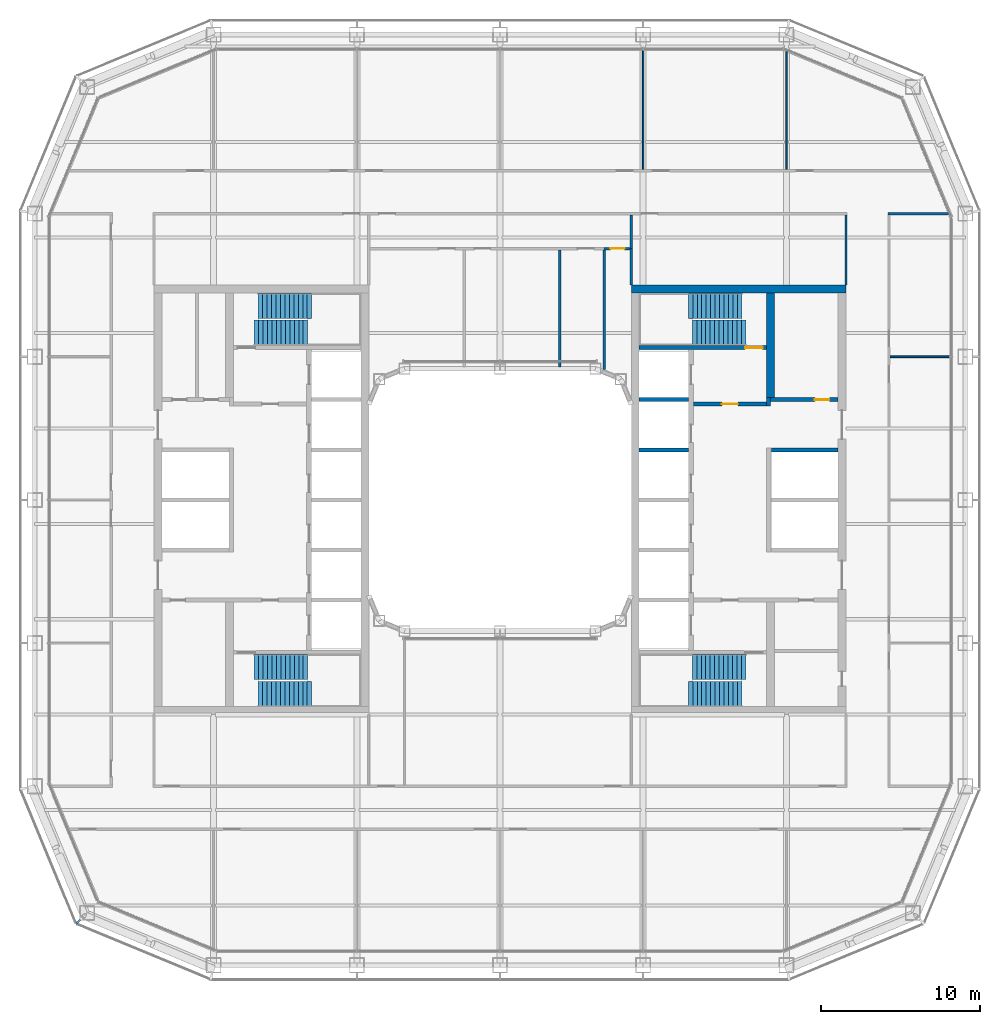
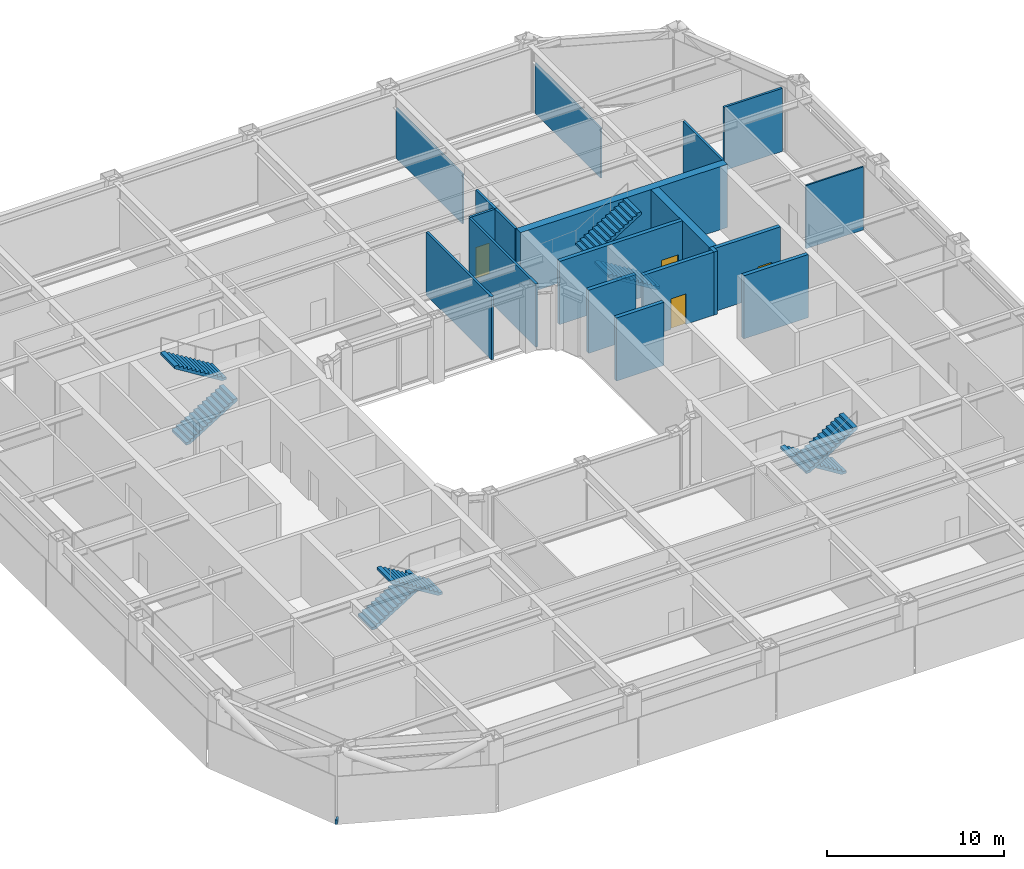
# One storey, part 14 of 21: 19 walls, 8 stair flights, 4 doors, 1 discrete accessory, 4 openings, 4 elements without a shape of their own.
"""IFC4 building model written with IfcOpenShell, lengths in metres."""

from ifc_helpers import new_model, si_unit, direction, frame, frame_2d, origin, origin_2d, place, context, subcontext, project, spatial, polyline, rectangle, outline, extrude, material, layer, layer_set, type_object, element, fill, aggregate, save


model = new_model("IFC4")

# Units and contexts
model_context = context("Model", 3, precision=1e-05, world=origin(), true_north=direction((0.0, 1.0)))
body_context = subcontext(model_context, "Body", "Model", "MODEL_VIEW")
ifc_project = project(units=[si_unit("LENGTHUNIT", "METRE"), si_unit("AREAUNIT", "SQUARE_METRE"), si_unit("VOLUMEUNIT", "CUBIC_METRE"), si_unit("PLANEANGLEUNIT", "RADIAN"), si_unit("MASSUNIT", "GRAM", prefix="KILO")], contexts=[model_context])

# Site, building, storey
site_placement = place(None, origin())
site = spatial("IfcSite", under=ifc_project, at=site_placement, CompositionType="ELEMENT")
building_placement = place(site_placement, origin())
building = spatial("IfcBuilding", under=site, at=building_placement, Name="Siwar Civic Tower", CompositionType="ELEMENT")
storey_placement = place(building_placement, frame((0.0, 0.0, 122.699951171875)))
storey = spatial("IfcBuildingStorey", under=building, at=storey_placement, Name="L26", CompositionType="ELEMENT", Elevation=122.699951171875)

# Wall, opening, door
ifc_material_1 = material(Name="Gypsum board on steel studs", Category="steel")
ifc_layer_1 = layer(ifc_material_1, 0.14990234375)
ifc_layer_set_1 = layer_set([ifc_layer_1], Name="Gypsum board on steel studs")
wall_type_1 = type_object("IfcWallType", Name="COMPARTMENT PARTITION 150 EI 60", PredefinedType="PARTITIONING", material=ifc_layer_set_1)
wall_1_placement = place(storey_placement, frame((6.5400390625, 15.800048828125, 0.0), z_axis=(0.0, 0.0, 1.0), x_axis=(1.0, 0.0, 0.0)))
wall_1 = element("IfcWall", 1, at=wall_1_placement, inside=storey, type_object=wall_type_1, Name="L26/wall/P12", PredefinedType="PARTITIONING", context=body_context, shape_type="SweptSolid", body=[
    extrude(rectangle(XDim=1.635009765625, YDim=0.14990234375, at=frame_2d((0.8173828125, 0.0))), origin(), (0.0, 0.0, 1.0), 4.35009765625),
])
opening_1_placement = place(wall_1_placement, frame((0.39990234375, 0.0, 0.0)))
opening_1 = element("IfcOpeningElement", 2, at=opening_1_placement, cuts=wall_1, Name="Opening D4", PredefinedType="OPENING", context=body_context, shape_type="SweptSolid", body=[
    extrude(rectangle(XDim=0.89990234375, YDim=2.10009765625, at=frame_2d((0.449951171875, 1.050048828125))), frame((0.0, 0.0849609375, 0.0), z_axis=(0.0, -1.0, 0.0), x_axis=(1.0, 0.0, 0.0)), (0.0, 0.0, 1.0), 0.169921875),
])
ifc_material_2 = material(Name="Timber, painted", Category="wood")
door_type_1 = type_object("IfcDoorType", Name="DOOR 900 X 2100 FD60", OperationType="SINGLE_SWING_LEFT", PredefinedType="DOOR", material=ifc_material_2)
door_1_placement = place(opening_1_placement, origin())
door_1 = element("IfcDoor", 3, at=door_1_placement, inside=storey, type_object=door_type_1, Name="L26-D17", OperationType="SINGLE_SWING_LEFT", OverallHeight=2.10009765625, OverallWidth=0.89990234375, PredefinedType="DOOR", context=body_context, shape_type="SweptSolid", body=[
    extrude(rectangle(XDim=0.89990234375, YDim=2.10009765625, at=frame_2d((0.449951171875, 1.050048828125))), frame((0.0, 0.02490234375, 0.0), z_axis=(0.0, -1.0, 0.0), x_axis=(1.0, 0.0, 0.0)), (0.0, 0.0, 1.0), 0.050048828125),
])
fill(opening_1, door_1)

# Walls
wall_2_placement = place(storey_placement, frame((6.5400390625, 8.18603515625, 0.0), z_axis=(0.0, 0.0, 1.0), x_axis=(0.0, 1.0, 0.0)))
element("IfcWall", 4, at=wall_2_placement, inside=storey, type_object=wall_type_1, Name="L26/wall/P31", PredefinedType="PARTITIONING", context=body_context, shape_type="SweptSolid", body=[
    extrude(rectangle(XDim=7.5390625, YDim=0.14990234375, at=frame_2d((3.76953125, 0.0))), origin(), (0.0, 0.0, 1.0), 4.35009765625),
])
wall_3_placement = place(storey_placement, frame((8.25, 13.5, 0.0), z_axis=(0.0, 0.0, 1.0), x_axis=(0.0, 1.0, 0.0)))
element("IfcWall", 5, at=wall_3_placement, inside=storey, type_object=wall_type_1, Name="L26/wall/P34", PredefinedType="PARTITIONING", context=body_context, shape_type="SweptSolid", body=[
    extrude(rectangle(XDim=2.300048828125, YDim=0.14990234375, at=frame_2d((1.14990234375, 0.0))), origin(), (0.0, 0.0, 1.0), 4.35009765625),
])

# Wall, opening, door
ifc_material_3 = material(Name="Concrete C60/75", Category="concrete")
ifc_layer_2 = layer(ifc_material_3, 0.25)
ifc_layer_set_2 = layer_set([ifc_layer_2], Name="Concrete C60/75")
wall_type_2 = type_object("IfcWallType", Name="CORE-WALL-RC250", PredefinedType="SHEAR", material=ifc_layer_set_2)
wall_4_placement = place(storey_placement, frame((12.14990234375, 6.02490234375, 0.0), z_axis=(0.0, 0.0, 1.0), x_axis=(1.0, 0.0, 0.0)))
wall_4 = element("IfcWall", 6, at=wall_4_placement, inside=storey, type_object=wall_type_2, Name="Core wall E", PredefinedType="SHEAR", context=body_context, shape_type="SweptSolid", body=[
    extrude(rectangle(XDim=4.60009765625, YDim=0.25, at=frame_2d((2.300048828125, 0.0))), origin(), (0.0, 0.0, 1.0), 4.35009765625),
])
opening_2_placement = place(wall_4_placement, frame((1.800048828125, 0.0, 0.0)))
opening_2 = element("IfcOpeningElement", 7, at=opening_2_placement, cuts=wall_4, Name="Opening L26-CE01", PredefinedType="OPENING", context=body_context, shape_type="SweptSolid", body=[
    extrude(rectangle(XDim=1.0, YDim=2.10009765625, at=frame_2d((0.5, 1.050048828125))), frame((0.0, 0.135009765625, 0.0), z_axis=(0.0, -1.0, 0.0), x_axis=(1.0, 0.0, 0.0)), (0.0, 0.0, 1.0), 0.27001953125),
])
ifc_material_4 = material(Name="Steel door leaf", Category="steel")
door_type_2 = type_object("IfcDoorType", Name="CORE-DOOR-FD30S", OperationType="SINGLE_SWING_LEFT", PredefinedType="DOOR", material=ifc_material_4)
door_2_placement = place(opening_2_placement, origin())
door_2 = element("IfcDoor", 8, at=door_2_placement, inside=storey, type_object=door_type_2, Name="Firefighting lobby door L26-CE01", OperationType="SINGLE_SWING_RIGHT", OverallHeight=2.10009765625, OverallWidth=1.0, PredefinedType="DOOR", context=body_context, shape_type="SweptSolid", body=[
    extrude(rectangle(XDim=1.0, YDim=2.10009765625, at=frame_2d((0.5, 1.050048828125))), frame((0.0, 0.02490234375, 0.0), z_axis=(0.0, -1.0, 0.0), x_axis=(1.0, 0.0, 0.0)), (0.0, 0.0, 1.0), 0.050048828125),
])
fill(opening_2, door_2)

# Wall
wall_5_placement = place(storey_placement, frame((16.875, 5.89990234375, 0.0), z_axis=(0.0, 0.0, 1.0), x_axis=(0.0, 1.0, 0.0)))
element("IfcWall", 9, at=wall_5_placement, inside=storey, type_object=wall_type_2, Name="Core wall E", PredefinedType="SHEAR", context=body_context, shape_type="SweptSolid", body=[
    extrude(rectangle(XDim=0.525146484375, YDim=0.25, at=frame_2d((0.2626953125, 0.0))), origin(), (0.0, 0.0, 1.0), 4.35009765625),
])

# Wall, opening, door
wall_6_placement = place(storey_placement, frame((17.0, 6.300048828125, 0.0), z_axis=(0.0, 0.0, 1.0), x_axis=(1.0, 0.0, 0.0)))
wall_6 = element("IfcWall", 10, at=wall_6_placement, inside=storey, type_object=wall_type_2, Name="Core wall E", PredefinedType="SHEAR", context=body_context, shape_type="SweptSolid", body=[
    extrude(rectangle(XDim=4.25, YDim=0.25, at=frame_2d((2.125, 0.0))), origin(), (0.0, 0.0, 1.0), 4.35009765625),
])
opening_3_placement = place(wall_6_placement, frame((2.800048828125, 0.0, 0.0)))
opening_3 = element("IfcOpeningElement", 11, at=opening_3_placement, cuts=wall_6, Name="Opening L26-CE13", PredefinedType="OPENING", context=body_context, shape_type="SweptSolid", body=[
    extrude(rectangle(XDim=0.89990234375, YDim=2.10009765625, at=frame_2d((0.449951171875, 1.050048828125))), frame((0.0, 0.135009765625, 0.0), z_axis=(0.0, -1.0, 0.0), x_axis=(1.0, 0.0, 0.0)), (0.0, 0.0, 1.0), 0.27001953125),
])
ifc_material_5 = material(Name="Steel door leaf", Category="steel")
door_type_3 = type_object("IfcDoorType", Name="CORE-DOOR-ROOM", OperationType="SINGLE_SWING_LEFT", PredefinedType="DOOR", material=ifc_material_5)
door_3_placement = place(opening_3_placement, origin())
door_3 = element("IfcDoor", 12, at=door_3_placement, inside=storey, type_object=door_type_3, Name="Core room door L26-CE13", OperationType="SINGLE_SWING_LEFT", OverallHeight=2.10009765625, OverallWidth=0.89990234375, PredefinedType="DOOR", context=body_context, shape_type="SweptSolid", body=[
    extrude(rectangle(XDim=0.89990234375, YDim=2.10009765625, at=frame_2d((0.449951171875, 1.050048828125))), frame((0.0, 0.02490234375, 0.0), z_axis=(0.0, -1.0, 0.0), x_axis=(1.0, 0.0, 0.0)), (0.0, 0.0, 1.0), 0.050048828125),
])
fill(opening_3, door_3)

# Walls
wall_7_placement = place(storey_placement, frame((17.050048828125, 3.14990234375, 0.0), z_axis=(0.0, 0.0, 1.0), x_axis=(1.0, 0.0, 0.0)))
element("IfcWall", 13, at=wall_7_placement, inside=storey, type_object=wall_type_2, Name="Core wall E", PredefinedType="SHEAR", context=body_context, shape_type="SweptSolid", body=[
    extrude(rectangle(XDim=4.199951171875, YDim=0.25, at=frame_2d((2.10009765625, 0.0))), origin(), (0.0, 0.0, 1.0), 4.35009765625),
])
for number, where, z_axis, x_axis, name in (
    (14, (8.75, 3.14990234375, 0.0), (0.0, 0.0, 1.0), (1.0, 0.0, 0.0), "Core wall E"),
    (15, (8.75, 6.300048828125, 0.0), (0.0, 0.0, 1.0), (1.0, 0.0, 0.0), "Core wall E"),
):
    element("IfcWall", number, at=place(storey_placement, frame(where, z_axis=z_axis, x_axis=x_axis)), inside=storey, type_object=wall_type_2, Name=name, PredefinedType="SHEAR", context=body_context, shape_type="SweptSolid", body=[
        extrude(rectangle(XDim=3.10009765625, YDim=0.25, at=frame_2d((1.550048828125, 0.0))), origin(), (0.0, 0.0, 1.0), 4.35009765625),
    ])

# Wall, opening, door
wall_8_placement = place(storey_placement, frame((8.75, 9.574951171875, 0.0), z_axis=(0.0, 0.0, 1.0), x_axis=(1.0, 0.0, 0.0)))
wall_8 = element("IfcWall", 16, at=wall_8_placement, inside=storey, type_object=wall_type_2, Name="Core wall E", PredefinedType="SHEAR", context=body_context, shape_type="SweptSolid", body=[
    extrude(rectangle(XDim=8.0, YDim=0.25, at=frame_2d((4.0, 0.0))), origin(), (0.0, 0.0, 1.0), 4.35009765625),
])
opening_4_placement = place(wall_8_placement, frame((6.64990234375, 0.0, 0.0)))
opening_4 = element("IfcOpeningElement", 17, at=opening_4_placement, cuts=wall_8, Name="Opening L26-CE03", PredefinedType="OPENING", context=body_context, shape_type="SweptSolid", body=[
    extrude(rectangle(XDim=1.10009765625, YDim=2.10009765625, at=frame_2d((0.550048828125, 1.050048828125))), frame((0.0, 0.135009765625, 0.0), z_axis=(0.0, -1.0, 0.0), x_axis=(1.0, 0.0, 0.0)), (0.0, 0.0, 1.0), 0.27001953125),
])
ifc_material_6 = material(Name="Steel door leaf", Category="steel")
door_type_4 = type_object("IfcDoorType", Name="CORE-DOOR-FD60S", OperationType="SINGLE_SWING_LEFT", PredefinedType="DOOR", material=ifc_material_6)
door_4_placement = place(opening_4_placement, origin())
door_4 = element("IfcDoor", 18, at=door_4_placement, inside=storey, type_object=door_type_4, Name="Stair door L26-CE03", OperationType="SINGLE_SWING_LEFT", OverallHeight=2.10009765625, OverallWidth=1.10009765625, PredefinedType="DOOR", context=body_context, shape_type="SweptSolid", body=[
    extrude(rectangle(XDim=1.10009765625, YDim=2.10009765625, at=frame_2d((0.550048828125, 1.050048828125))), frame((0.0, 0.02490234375, 0.0), z_axis=(0.0, -1.0, 0.0), x_axis=(1.0, 0.0, 0.0)), (0.0, 0.0, 1.0), 0.050048828125),
])
fill(opening_4, door_4)

# Walls
ifc_material_7 = material(Name="Concrete C60/75", Category="concrete")
ifc_layer_3 = layer(ifc_material_7, 0.5)
ifc_layer_set_3 = layer_set([ifc_layer_3], Name="Concrete C60/75")
wall_type_3 = type_object("IfcWallType", Name="CORE-WALL-RC500", PredefinedType="SHEAR", material=ifc_layer_set_3)
wall_9_placement = place(storey_placement, frame((17.0, 6.425048828125, 0.0), z_axis=(0.0, 0.0, 1.0), x_axis=(0.0, 1.0, 0.0)))
element("IfcWall", 19, at=wall_9_placement, inside=storey, type_object=wall_type_3, Name="Core wall E", PredefinedType="SHEAR", context=body_context, shape_type="SweptSolid", body=[
    extrude(rectangle(XDim=6.574951171875, YDim=0.5, at=frame_2d((3.28759765625, 0.0))), origin(), (0.0, 0.0, 1.0), 4.35009765625),
])
wall_10_placement = place(storey_placement, frame((8.25, 13.25, 0.0), z_axis=(0.0, 0.0, 1.0), x_axis=(1.0, 0.0, 0.0)))
element("IfcWall", 20, at=wall_10_placement, inside=storey, type_object=wall_type_3, Name="Core wall E", PredefinedType="SHEAR", context=body_context, shape_type="SweptSolid", body=[
    extrude(rectangle(XDim=13.5, YDim=0.5, at=frame_2d((6.75, 0.0))), origin(), (0.0, 0.0, 1.0), 4.35009765625),
])
ifc_material_8 = material(Name="Gypsum board on steel studs", Category="steel")
ifc_layer_4 = layer(ifc_material_8, 0.14990234375)
ifc_layer_set_4 = layer_set([ifc_layer_4], Name="Gypsum board on steel studs")
wall_type_4 = type_object("IfcWallType", Name="CORRIDOR PARTITION 150 EI 30", PredefinedType="PARTITIONING", material=ifc_layer_set_4)
wall_11_placement = place(storey_placement, frame((24.375, 18.0, 0.0), z_axis=(0.0, 0.0, 1.0), x_axis=(1.0, 0.0, 0.0)))
element("IfcWall", 21, at=wall_11_placement, inside=storey, type_object=wall_type_4, Name="L26/wall/P15", PredefinedType="PARTITIONING", context=body_context, shape_type="SweptSolid", body=[
    extrude(rectangle(XDim=3.802978515625, YDim=0.14990234375, at=frame_2d((1.9013671875, 0.0))), origin(), (0.0, 0.0, 1.0), 4.35009765625),
])
wall_12_placement = place(storey_placement, frame((3.75, 8.3701171875, 0.0), z_axis=(0.0, 0.0, 1.0), x_axis=(0.0, 1.0, 0.0)))
element("IfcWall", 22, at=wall_12_placement, inside=storey, type_object=wall_type_4, Name="L26/wall/P30", PredefinedType="PARTITIONING", context=body_context, shape_type="SweptSolid", body=[
    extrude(rectangle(XDim=7.35498046875, YDim=0.14990234375, at=frame_2d((3.677490234375, 0.0))), origin(), (0.0, 0.0, 1.0), 4.35009765625),
])
wall_13_placement = place(storey_placement, frame((8.25, 15.800048828125, 0.0), z_axis=(0.0, 0.0, 1.0), x_axis=(0.0, 1.0, 0.0)))
element("IfcWall", 23, at=wall_13_placement, inside=storey, type_object=wall_type_4, Name="L26/wall/P33", PredefinedType="PARTITIONING", context=body_context, shape_type="SweptSolid", body=[
    extrude(rectangle(XDim=2.125, YDim=0.14990234375, at=frame_2d((1.0625, 0.0))), origin(), (0.0, 0.0, 1.0), 4.35009765625),
])
wall_14_placement = place(storey_placement, frame((21.75, 13.5, 0.0), z_axis=(0.0, 0.0, 1.0), x_axis=(0.0, 1.0, 0.0)))
element("IfcWall", 24, at=wall_14_placement, inside=storey, type_object=wall_type_4, Name="L26/wall/P40", PredefinedType="PARTITIONING", context=body_context, shape_type="SweptSolid", body=[
    extrude(rectangle(XDim=4.425048828125, YDim=0.14990234375, at=frame_2d((2.21240234375, 0.0))), origin(), (0.0, 0.0, 1.0), 4.35009765625),
])
ifc_material_9 = material(Name="Gypsum board on steel studs", Category="steel")
ifc_layer_5 = layer(ifc_material_9, 0.10009765625)
ifc_layer_set_5 = layer_set([ifc_layer_5], Name="Gypsum board on steel studs")
wall_type_5 = type_object("IfcWallType", Name="PARTITION 100 GYPSUM", PredefinedType="PARTITIONING", material=ifc_layer_set_5)
wall_15_placement = place(storey_placement, frame((24.52490234375, 9.0, 0.0), z_axis=(0.0, 0.0, 1.0), x_axis=(1.0, 0.0, 0.0)))
element("IfcWall", 25, at=wall_15_placement, inside=storey, type_object=wall_type_5, Name="L26/wall/P10", PredefinedType="PARTITIONING", context=body_context, shape_type="SweptSolid", body=[
    extrude(rectangle(XDim=3.735107421875, YDim=0.10009765625, at=frame_2d((1.86767578125, 0.0))), origin(), (0.0, 0.0, 1.0), 4.35009765625),
])
wall_16_placement = place(storey_placement, frame((9.0, 20.77490234375, 0.0), z_axis=(0.0, 0.0, 1.0), x_axis=(0.0, 1.0, 0.0)))
element("IfcWall", 26, at=wall_16_placement, inside=storey, type_object=wall_type_5, Name="L26/wall/P36", PredefinedType="PARTITIONING", context=body_context, shape_type="SweptSolid", body=[
    extrude(rectangle(XDim=7.485107421875, YDim=0.10009765625, at=frame_2d((3.74267578125, 0.0))), origin(), (0.0, 0.0, 1.0), 3.449951171875),
])
wall_17_placement = place(storey_placement, frame((18.0, 20.77490234375, 0.0), z_axis=(0.0, 0.0, 1.0), x_axis=(0.0, 1.0, 0.0)))
element("IfcWall", 27, at=wall_17_placement, inside=storey, type_object=wall_type_5, Name="L26/wall/P38", PredefinedType="PARTITIONING", context=body_context, shape_type="SweptSolid", body=[
    extrude(rectangle(XDim=7.403076171875, YDim=0.10009765625, at=frame_2d((3.70166015625, 0.0))), origin(), (0.0, 0.0, 1.0), 3.449951171875),
])

# Stair, stair flights
ifc_material_10 = material(Name="Concrete C40/50", Category="concrete")
stair_type = type_object("IfcStairType", Name="CORE-STAIR", PredefinedType="TWO_STRAIGHT_RUN_STAIR", material=ifc_material_10)
stair_1_placement = place(storey_placement, origin())
stair_1 = element("IfcStair", 28, at=stair_1_placement, inside=storey, type_object=stair_type, Name="Exit stair ST1", PredefinedType="TWO_STRAIGHT_RUN_STAIR")
ifc_material_11 = material(Name="Concrete C40/50", Category="concrete")
stair_flight_type = type_object("IfcStairFlightType", Name="CORE-STAIR-FLIGHT", PredefinedType="STRAIGHT", material=ifc_material_11)
stair_flight_1_placement = place(storey_placement, frame((-15.449951171875, 10.5, 0.0), z_axis=(0.0, 0.0, 1.0), x_axis=(1.0, 0.0, 0.0)))
stair_flight_1 = element("IfcStairFlight", 29, at=stair_flight_1_placement, type_object=stair_flight_type, Name="ST1 flight 1", NumberOfRisers=13, NumberOfTreads=12, PredefinedType="STRAIGHT", RiserHeight=0.173076923, TreadLength=0.28, context=body_context, shape_type="SweptSolid", body=[
    extrude(outline(polyline([(0.0, 0.0), (0.0, 0.173095703125), (0.280029296875, 0.173095703125), (0.280029296875, 0.34619140625), (0.56005859375, 0.34619140625), (0.56005859375, 0.519287109375), (0.840087890625, 0.519287109375), (0.840087890625, 0.6923828125), (1.1201171875, 0.6923828125), (1.1201171875, 0.865478515625), (1.39990234375, 0.865478515625), (1.39990234375, 1.03857421875), (1.679931640625, 1.03857421875), (1.679931640625, 1.21142578125), (1.9599609375, 1.21142578125), (1.9599609375, 1.384521484375), (2.239990234375, 1.384521484375), (2.239990234375, 1.5576171875), (2.52001953125, 1.5576171875), (2.52001953125, 1.730712890625), (2.800048828125, 1.730712890625), (2.800048828125, 1.90380859375), (3.080078125, 1.90380859375), (3.080078125, 2.076904296875), (3.360107421875, 2.076904296875), (3.360107421875, 2.25), (3.360107421875, 1.900634765625), (0.28515625, 0.0), (0.0, 0.0)])), frame((0.0, 0.800048828125, 0.0), z_axis=(0.0, -1.0, 0.0), x_axis=(1.0, 0.0, 0.0)), (0.0, 0.0, 1.0), 1.60009765625),
])
stair_flight_2_placement = place(storey_placement, frame((-11.840087890625, 12.199951171875, 2.25), z_axis=(0.0, 0.0, 1.0), x_axis=(-1.0, 0.0, 0.0)))
stair_flight_2 = element("IfcStairFlight", 30, at=stair_flight_2_placement, type_object=stair_flight_type, Name="ST1 flight 2", NumberOfRisers=13, NumberOfTreads=12, PredefinedType="STRAIGHT", RiserHeight=0.173076923, TreadLength=0.28, context=body_context, shape_type="SweptSolid", body=[
    extrude(outline(polyline([(0.0, 0.0), (0.0, 0.173095703125), (0.280029296875, 0.173095703125), (0.280029296875, 0.34619140625), (0.56005859375, 0.34619140625), (0.56005859375, 0.519287109375), (0.840087890625, 0.519287109375), (0.840087890625, 0.6923828125), (1.1201171875, 0.6923828125), (1.1201171875, 0.865478515625), (1.39990234375, 0.865478515625), (1.39990234375, 1.03857421875), (1.679931640625, 1.03857421875), (1.679931640625, 1.21142578125), (1.9599609375, 1.21142578125), (1.9599609375, 1.384521484375), (2.239990234375, 1.384521484375), (2.239990234375, 1.5576171875), (2.52001953125, 1.5576171875), (2.52001953125, 1.730712890625), (2.800048828125, 1.730712890625), (2.800048828125, 1.90380859375), (3.080078125, 1.90380859375), (3.080078125, 2.076904296875), (3.360107421875, 2.076904296875), (3.360107421875, 2.25), (3.360107421875, 1.900634765625), (0.28515625, 0.0), (0.0, 0.0)])), frame((0.0, 0.800048828125, 0.0), z_axis=(0.0, -1.0, 0.0), x_axis=(1.0, 0.0, 0.0)), (0.0, 0.0, 1.0), 1.60009765625),
])
aggregate(stair_1, [stair_flight_1, stair_flight_2])

stair_2_placement = place(storey_placement, origin())
stair_2 = element("IfcStair", 31, at=stair_2_placement, inside=storey, type_object=stair_type, Name="Exit stair ST2", PredefinedType="TWO_STRAIGHT_RUN_STAIR")
stair_flight_3_placement = place(storey_placement, frame((-15.449951171875, -10.5, 0.0), z_axis=(0.0, 0.0, 1.0), x_axis=(1.0, 0.0, 0.0)))
stair_flight_3 = element("IfcStairFlight", 32, at=stair_flight_3_placement, type_object=stair_flight_type, Name="ST2 flight 1", NumberOfRisers=13, NumberOfTreads=12, PredefinedType="STRAIGHT", RiserHeight=0.173076923, TreadLength=0.28, context=body_context, shape_type="SweptSolid", body=[
    extrude(outline(polyline([(0.0, 0.0), (0.0, 0.173095703125), (0.280029296875, 0.173095703125), (0.280029296875, 0.34619140625), (0.56005859375, 0.34619140625), (0.56005859375, 0.519287109375), (0.840087890625, 0.519287109375), (0.840087890625, 0.6923828125), (1.1201171875, 0.6923828125), (1.1201171875, 0.865478515625), (1.39990234375, 0.865478515625), (1.39990234375, 1.03857421875), (1.679931640625, 1.03857421875), (1.679931640625, 1.21142578125), (1.9599609375, 1.21142578125), (1.9599609375, 1.384521484375), (2.239990234375, 1.384521484375), (2.239990234375, 1.5576171875), (2.52001953125, 1.5576171875), (2.52001953125, 1.730712890625), (2.800048828125, 1.730712890625), (2.800048828125, 1.90380859375), (3.080078125, 1.90380859375), (3.080078125, 2.076904296875), (3.360107421875, 2.076904296875), (3.360107421875, 2.25), (3.360107421875, 1.900634765625), (0.28515625, 0.0), (0.0, 0.0)])), frame((0.0, 0.800048828125, 0.0), z_axis=(0.0, -1.0, 0.0), x_axis=(1.0, 0.0, 0.0)), (0.0, 0.0, 1.0), 1.60009765625),
])
stair_flight_4_placement = place(storey_placement, frame((-11.840087890625, -12.199951171875, 2.25), z_axis=(0.0, 0.0, 1.0), x_axis=(-1.0, 0.0, 0.0)))
stair_flight_4 = element("IfcStairFlight", 33, at=stair_flight_4_placement, type_object=stair_flight_type, Name="ST2 flight 2", NumberOfRisers=13, NumberOfTreads=12, PredefinedType="STRAIGHT", RiserHeight=0.173076923, TreadLength=0.28, context=body_context, shape_type="SweptSolid", body=[
    extrude(outline(polyline([(0.0, 0.0), (0.0, 0.173095703125), (0.280029296875, 0.173095703125), (0.280029296875, 0.34619140625), (0.56005859375, 0.34619140625), (0.56005859375, 0.519287109375), (0.840087890625, 0.519287109375), (0.840087890625, 0.6923828125), (1.1201171875, 0.6923828125), (1.1201171875, 0.865478515625), (1.39990234375, 0.865478515625), (1.39990234375, 1.03857421875), (1.679931640625, 1.03857421875), (1.679931640625, 1.21142578125), (1.9599609375, 1.21142578125), (1.9599609375, 1.384521484375), (2.239990234375, 1.384521484375), (2.239990234375, 1.5576171875), (2.52001953125, 1.5576171875), (2.52001953125, 1.730712890625), (2.800048828125, 1.730712890625), (2.800048828125, 1.90380859375), (3.080078125, 1.90380859375), (3.080078125, 2.076904296875), (3.360107421875, 2.076904296875), (3.360107421875, 2.25), (3.360107421875, 1.900634765625), (0.28515625, 0.0), (0.0, 0.0)])), frame((0.0, 0.800048828125, 0.0), z_axis=(0.0, -1.0, 0.0), x_axis=(1.0, 0.0, 0.0)), (0.0, 0.0, 1.0), 1.60009765625),
])
aggregate(stair_2, [stair_flight_3, stair_flight_4])

stair_3_placement = place(storey_placement, origin())
stair_3 = element("IfcStair", 34, at=stair_3_placement, inside=storey, type_object=stair_type, Name="Exit stair ST3", PredefinedType="TWO_STRAIGHT_RUN_STAIR")
stair_flight_5_placement = place(storey_placement, frame((15.449951171875, 10.5, 0.0), z_axis=(0.0, 0.0, 1.0), x_axis=(-1.0, 0.0, 0.0)))
stair_flight_5 = element("IfcStairFlight", 35, at=stair_flight_5_placement, type_object=stair_flight_type, Name="ST3 flight 1", NumberOfRisers=13, NumberOfTreads=12, PredefinedType="STRAIGHT", RiserHeight=0.173076923, TreadLength=0.28, context=body_context, shape_type="SweptSolid", body=[
    extrude(outline(polyline([(0.0, 0.0), (0.0, 0.173095703125), (0.280029296875, 0.173095703125), (0.280029296875, 0.34619140625), (0.56005859375, 0.34619140625), (0.56005859375, 0.519287109375), (0.840087890625, 0.519287109375), (0.840087890625, 0.6923828125), (1.1201171875, 0.6923828125), (1.1201171875, 0.865478515625), (1.39990234375, 0.865478515625), (1.39990234375, 1.03857421875), (1.679931640625, 1.03857421875), (1.679931640625, 1.21142578125), (1.9599609375, 1.21142578125), (1.9599609375, 1.384521484375), (2.239990234375, 1.384521484375), (2.239990234375, 1.5576171875), (2.52001953125, 1.5576171875), (2.52001953125, 1.730712890625), (2.800048828125, 1.730712890625), (2.800048828125, 1.90380859375), (3.080078125, 1.90380859375), (3.080078125, 2.076904296875), (3.360107421875, 2.076904296875), (3.360107421875, 2.25), (3.360107421875, 1.900634765625), (0.28515625, 0.0), (0.0, 0.0)])), frame((0.0, 0.800048828125, 0.0), z_axis=(0.0, -1.0, 0.0), x_axis=(1.0, 0.0, 0.0)), (0.0, 0.0, 1.0), 1.60009765625),
])
stair_flight_6_placement = place(storey_placement, frame((11.840087890625, 12.199951171875, 2.25), z_axis=(0.0, 0.0, 1.0), x_axis=(1.0, 0.0, 0.0)))
stair_flight_6 = element("IfcStairFlight", 36, at=stair_flight_6_placement, type_object=stair_flight_type, Name="ST3 flight 2", NumberOfRisers=13, NumberOfTreads=12, PredefinedType="STRAIGHT", RiserHeight=0.173076923, TreadLength=0.28, context=body_context, shape_type="SweptSolid", body=[
    extrude(outline(polyline([(0.0, 0.0), (0.0, 0.173095703125), (0.280029296875, 0.173095703125), (0.280029296875, 0.34619140625), (0.56005859375, 0.34619140625), (0.56005859375, 0.519287109375), (0.840087890625, 0.519287109375), (0.840087890625, 0.6923828125), (1.1201171875, 0.6923828125), (1.1201171875, 0.865478515625), (1.39990234375, 0.865478515625), (1.39990234375, 1.03857421875), (1.679931640625, 1.03857421875), (1.679931640625, 1.21142578125), (1.9599609375, 1.21142578125), (1.9599609375, 1.384521484375), (2.239990234375, 1.384521484375), (2.239990234375, 1.5576171875), (2.52001953125, 1.5576171875), (2.52001953125, 1.730712890625), (2.800048828125, 1.730712890625), (2.800048828125, 1.90380859375), (3.080078125, 1.90380859375), (3.080078125, 2.076904296875), (3.360107421875, 2.076904296875), (3.360107421875, 2.25), (3.360107421875, 1.900634765625), (0.28515625, 0.0), (0.0, 0.0)])), frame((0.0, 0.800048828125, 0.0), z_axis=(0.0, -1.0, 0.0), x_axis=(1.0, 0.0, 0.0)), (0.0, 0.0, 1.0), 1.60009765625),
])
aggregate(stair_3, [stair_flight_5, stair_flight_6])

stair_4_placement = place(storey_placement, origin())
stair_4 = element("IfcStair", 37, at=stair_4_placement, inside=storey, type_object=stair_type, Name="Exit stair ST4", PredefinedType="TWO_STRAIGHT_RUN_STAIR")
stair_flight_7_placement = place(storey_placement, frame((15.449951171875, -10.5, 0.0), z_axis=(0.0, 0.0, 1.0), x_axis=(-1.0, 0.0, 0.0)))
stair_flight_7 = element("IfcStairFlight", 38, at=stair_flight_7_placement, type_object=stair_flight_type, Name="ST4 flight 1", NumberOfRisers=13, NumberOfTreads=12, PredefinedType="STRAIGHT", RiserHeight=0.173076923, TreadLength=0.28, context=body_context, shape_type="SweptSolid", body=[
    extrude(outline(polyline([(0.0, 0.0), (0.0, 0.173095703125), (0.280029296875, 0.173095703125), (0.280029296875, 0.34619140625), (0.56005859375, 0.34619140625), (0.56005859375, 0.519287109375), (0.840087890625, 0.519287109375), (0.840087890625, 0.6923828125), (1.1201171875, 0.6923828125), (1.1201171875, 0.865478515625), (1.39990234375, 0.865478515625), (1.39990234375, 1.03857421875), (1.679931640625, 1.03857421875), (1.679931640625, 1.21142578125), (1.9599609375, 1.21142578125), (1.9599609375, 1.384521484375), (2.239990234375, 1.384521484375), (2.239990234375, 1.5576171875), (2.52001953125, 1.5576171875), (2.52001953125, 1.730712890625), (2.800048828125, 1.730712890625), (2.800048828125, 1.90380859375), (3.080078125, 1.90380859375), (3.080078125, 2.076904296875), (3.360107421875, 2.076904296875), (3.360107421875, 2.25), (3.360107421875, 1.900634765625), (0.28515625, 0.0), (0.0, 0.0)])), frame((0.0, 0.800048828125, 0.0), z_axis=(0.0, -1.0, 0.0), x_axis=(1.0, 0.0, 0.0)), (0.0, 0.0, 1.0), 1.60009765625),
])
stair_flight_8_placement = place(storey_placement, frame((11.840087890625, -12.199951171875, 2.25), z_axis=(0.0, 0.0, 1.0), x_axis=(1.0, 0.0, 0.0)))
stair_flight_8 = element("IfcStairFlight", 39, at=stair_flight_8_placement, type_object=stair_flight_type, Name="ST4 flight 2", NumberOfRisers=13, NumberOfTreads=12, PredefinedType="STRAIGHT", RiserHeight=0.173076923, TreadLength=0.28, context=body_context, shape_type="SweptSolid", body=[
    extrude(outline(polyline([(0.0, 0.0), (0.0, 0.173095703125), (0.280029296875, 0.173095703125), (0.280029296875, 0.34619140625), (0.56005859375, 0.34619140625), (0.56005859375, 0.519287109375), (0.840087890625, 0.519287109375), (0.840087890625, 0.6923828125), (1.1201171875, 0.6923828125), (1.1201171875, 0.865478515625), (1.39990234375, 0.865478515625), (1.39990234375, 1.03857421875), (1.679931640625, 1.03857421875), (1.679931640625, 1.21142578125), (1.9599609375, 1.21142578125), (1.9599609375, 1.384521484375), (2.239990234375, 1.384521484375), (2.239990234375, 1.5576171875), (2.52001953125, 1.5576171875), (2.52001953125, 1.730712890625), (2.800048828125, 1.730712890625), (2.800048828125, 1.90380859375), (3.080078125, 1.90380859375), (3.080078125, 2.076904296875), (3.360107421875, 2.076904296875), (3.360107421875, 2.25), (3.360107421875, 1.900634765625), (0.28515625, 0.0), (0.0, 0.0)])), frame((0.0, 0.800048828125, 0.0), z_axis=(0.0, -1.0, 0.0), x_axis=(1.0, 0.0, 0.0)), (0.0, 0.0, 1.0), 1.60009765625),
])
aggregate(stair_4, [stair_flight_7, stair_flight_8])

# Discrete accessory
ifc_material_12 = material(Name="Stainless steel 316", Category="steel")
discrete_accessory_type = type_object("IfcDiscreteAccessoryType", Name="ENV-BRACKET", PredefinedType="BRACKET", material=ifc_material_12)
discrete_accessory_placement = place(storey_placement, frame((-26.517333984375, -26.517333984375, -0.14990234375), z_axis=(0.0, 0.0, 1.0), x_axis=(-0.707106781187, -0.707106781187, 0.0)))
element("IfcDiscreteAccessory", 40, at=discrete_accessory_placement, inside=storey, type_object=discrete_accessory_type, Name="Bracket outer skin joint V11", PredefinedType="BRACKET", context=body_context, shape_type="SweptSolid", body=[
    extrude(rectangle(XDim=0.357666015625, YDim=0.12939453125, at=origin_2d()), origin(), (0.0, 0.0, 1.0), 0.300048828125),
])

save(model, "model.ifc")
